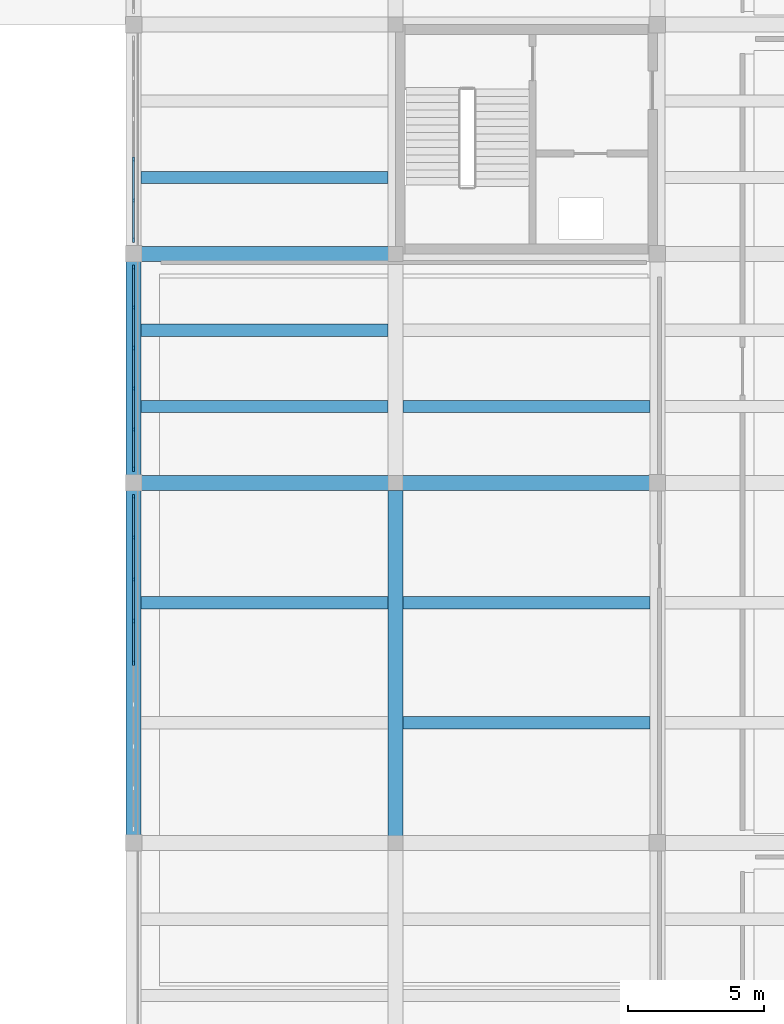
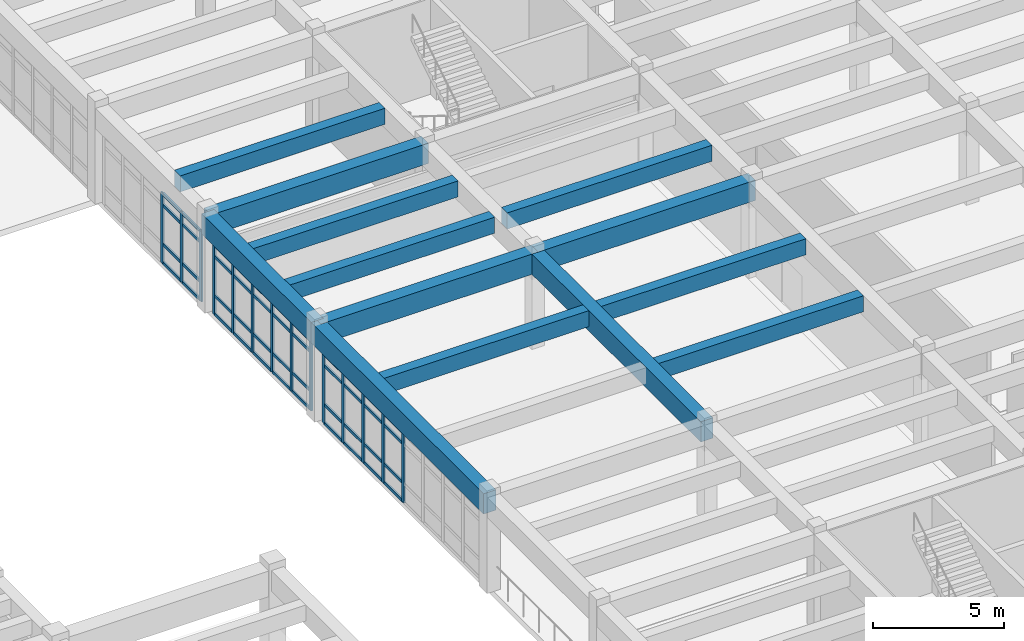
# One storey, part 36 of 86: 58 members, 13 beams, 3 elements without a shape of their own.
"""IFC4 building model written with IfcOpenShell, lengths in metres."""

from ifc_helpers import new_model, si_unit, direction, frame, origin, origin_2d, place, context, subcontext, project, spatial, rectangle, extrude, material, layer, layer_set, material_profile, profile_set, type_object, element, aggregate, save


model = new_model("IFC4")

# Units and contexts
model_context = context("Model", 3, precision=1e-05, world=origin(), true_north=direction((0.0, 1.0)))
body_context = subcontext(model_context, "Body", "Model", "MODEL_VIEW")
ifc_project = project(units=[si_unit("LENGTHUNIT", "METRE"), si_unit("AREAUNIT", "SQUARE_METRE"), si_unit("VOLUMEUNIT", "CUBIC_METRE"), si_unit("PLANEANGLEUNIT", "RADIAN"), si_unit("MASSUNIT", "GRAM", prefix="KILO")], contexts=[model_context])

# Site, building, storey
site_placement = place(None, origin())
site = spatial("IfcSite", under=ifc_project, at=site_placement, CompositionType="ELEMENT")
building_placement = place(site_placement, origin())
building = spatial("IfcBuilding", under=site, at=building_placement, Name="Kolvemor Railside Polytechnic", CompositionType="ELEMENT")
storey_placement = place(building_placement, frame((0.0, 0.0, 5.39990234375)))
storey = spatial("IfcBuildingStorey", under=building, at=storey_placement, Name="L01", CompositionType="ELEMENT", Elevation=5.39990234375)

# Beams
ifc_material_1 = material(Name="Concrete C40/50", Category="concrete")
ifc_material_profile_1 = material_profile(ifc_material_1, rectangle(XDim=0.550048828125, YDim=0.949951171875, at=origin_2d()), Name="RC550x950")
ifc_profile_set_1 = profile_set([ifc_material_profile_1], Name="Concrete C40/50")
beam_type_1 = type_object("IfcBeamType", Name="BM-RC-GIRD", PredefinedType="BEAM", material=ifc_profile_set_1)
beam_1_placement = place(storey_placement, frame((144.0, 51.60009765625, 4.005126953125), z_axis=(1.0, 0.0, 0.0), x_axis=(0.0, 1.0, 0.0)))
element("IfcBeam", 1, at=beam_1_placement, inside=storey, type_object=beam_type_1, Name="Primary Girder L02-GX 0915", PredefinedType="BEAM", context=body_context, shape_type="SweptSolid", body=[
    extrude(rectangle(XDim=0.550048828125, YDim=0.949951171875, at=origin_2d()), origin(), (0.0, 0.0, 1.0), 9.60009765625),
])
beam_2_placement = place(storey_placement, frame((153.60009765625, 51.60009765625, 4.005126953125), z_axis=(1.0, 0.0, 0.0), x_axis=(0.0, 1.0, 0.0)))
element("IfcBeam", 2, at=beam_2_placement, inside=storey, type_object=beam_type_1, Name="Primary Girder L02-GX 0916", PredefinedType="BEAM", context=body_context, shape_type="SweptSolid", body=[
    extrude(rectangle(XDim=0.550048828125, YDim=0.949951171875, at=origin_2d()), origin(), (0.0, 0.0, 1.0), 9.599853515625),
])
beam_3_placement = place(storey_placement, frame((144.0, 60.0, 4.005126953125), z_axis=(1.0, 0.0, 0.0), x_axis=(0.0, 1.0, 0.0)))
element("IfcBeam", 3, at=beam_3_placement, inside=storey, type_object=beam_type_1, Name="Primary Girder L02-GX 0919", PredefinedType="BEAM", context=body_context, shape_type="SweptSolid", body=[
    extrude(rectangle(XDim=0.550048828125, YDim=0.949951171875, at=origin_2d()), origin(), (0.0, 0.0, 1.0), 9.60009765625),
])
beam_4_placement = place(storey_placement, frame((144.0, 38.39990234375, 4.005126953125), z_axis=(0.0, 1.0, 0.0), x_axis=(-1.0, 0.0, 0.0)))
element("IfcBeam", 4, at=beam_4_placement, inside=storey, type_object=beam_type_1, Name="Primary Girder L02-GY 0939", PredefinedType="BEAM", context=body_context, shape_type="SweptSolid", body=[
    extrude(rectangle(XDim=0.550048828125, YDim=0.949951171875, at=origin_2d()), origin(), (0.0, 0.0, 1.0), 13.2001953125),
])
beam_5_placement = place(storey_placement, frame((144.0, 51.60009765625, 4.005126953125), z_axis=(0.0, 1.0, 0.0), x_axis=(-1.0, 0.0, 0.0)))
element("IfcBeam", 5, at=beam_5_placement, inside=storey, type_object=beam_type_1, Name="Primary Girder L02-GY 0940", PredefinedType="BEAM", context=body_context, shape_type="SweptSolid", body=[
    extrude(rectangle(XDim=0.550048828125, YDim=0.949951171875, at=origin_2d()), origin(), (0.0, 0.0, 1.0), 8.39990234375),
])
beam_6_placement = place(storey_placement, frame((153.60009765625, 38.39990234375, 4.005126953125), z_axis=(0.0, 1.0, 0.0), x_axis=(-1.0, 0.0, 0.0)))
element("IfcBeam", 6, at=beam_6_placement, inside=storey, type_object=beam_type_1, Name="Primary Girder L02-GY 0948", PredefinedType="BEAM", context=body_context, shape_type="SweptSolid", body=[
    extrude(rectangle(XDim=0.550048828125, YDim=0.949951171875, at=origin_2d()), origin(), (0.0, 0.0, 1.0), 13.2001953125),
])
ifc_material_2 = material(Name="Concrete C40/50", Category="concrete")
ifc_material_profile_2 = material_profile(ifc_material_2, rectangle(XDim=0.449951171875, YDim=0.75, at=origin_2d()), Name="RC450x750")
ifc_profile_set_2 = profile_set([ifc_material_profile_2], Name="Concrete C40/50")
beam_type_2 = type_object("IfcBeamType", Name="BM-RC-SEC", PredefinedType="JOIST", material=ifc_profile_set_2)
for number, where, z_axis, x_axis, name in (
    (7, (144.27490234375, 47.199951171875, 4.10498046875), (1.0, 0.0, 0.0), (0.0, 1.0, 0.0), "Floor Joist L02-J0989"),
    (8, (144.27490234375, 54.39990234375, 4.10498046875), (1.0, 0.0, 0.0), (0.0, 1.0, 0.0), "Floor Joist L02-J0990"),
    (9, (144.27490234375, 57.199951171875, 4.10498046875), (1.0, 0.0, 0.0), (0.0, 1.0, 0.0), "Floor Joist L02-J0991"),
    (10, (144.27490234375, 62.800048828125, 4.10498046875), (1.0, 0.0, 0.0), (0.0, 1.0, 0.0), "Floor Joist L02-J0992"),
    (11, (153.875, 42.800048828125, 4.10498046875), (1.0, 0.0, 0.0), (0.0, 1.0, 0.0), "Floor Joist L02-J1004"),
    (12, (153.875, 47.199951171875, 4.10498046875), (1.0, 0.0, 0.0), (0.0, 1.0, 0.0), "Floor Joist L02-J1005"),
    (13, (153.875, 54.39990234375, 4.10498046875), (1.0, 0.0, 0.0), (0.0, 1.0, 0.0), "Floor Joist L02-J1006"),
):
    element("IfcBeam", number, at=place(storey_placement, frame(where, z_axis=z_axis, x_axis=x_axis)), inside=storey, type_object=beam_type_2, Name=name, PredefinedType="JOIST", context=body_context, shape_type="SweptSolid", body=[
        extrude(rectangle(XDim=0.449951171875, YDim=0.75, at=origin_2d()), origin(), (0.0, 0.0, 1.0), 9.050048828125),
    ])

# Curtain wall, members
ifc_material_3 = material(Name="Anodised marine aluminium and laminated low-E glass", Category="aluminium")
ifc_layer = layer(ifc_material_3, 0.179931640625, Name="CW-UNIT-STD")
ifc_layer_set = layer_set([ifc_layer], Name="Anodised marine aluminium and laminated low-E glass")
curtain_wall_type = type_object("IfcCurtainWallType", Name="CW-UNIT-STD", PredefinedType="USERDEFINED", material=ifc_layer_set)
curtain_wall_1_placement = place(storey_placement, origin())
curtain_wall_1 = element("IfcCurtainWall", 14, at=curtain_wall_1_placement, inside=storey, type_object=curtain_wall_type, Name="Curtain Wall L01-062", ObjectType="UNITISED CURTAIN WALL", PredefinedType="USERDEFINED")
ifc_material_4 = material(Name="Anodised marine aluminium 6063-T6", Category="aluminium")
ifc_material_profile_3 = material_profile(ifc_material_4, rectangle(XDim=0.074951171875, YDim=0.179931640625, at=origin_2d()), Name="CW-MUL-75x180")
ifc_profile_set_3 = profile_set([ifc_material_profile_3], Name="Anodised marine aluminium 6063-T6")
member_type_1 = type_object("IfcMemberType", Name="CWM-75x180", PredefinedType="MULLION", material=ifc_profile_set_3)
member_1_placement = place(storey_placement, frame((144.0, 51.092529296875, 0.0), z_axis=(0.0, 0.0, 1.0), x_axis=(1.0, 0.0, 0.0)))
member_1 = element("IfcMember", 15, at=member_1_placement, type_object=member_type_1, Name="CW-STD mullion 1", PredefinedType="MULLION", context=body_context, shape_type="SweptSolid", body=[
    extrude(rectangle(XDim=0.074951171875, YDim=0.179931640625, at=origin_2d()), origin(), (0.0, 0.0, 1.0), 3.280029296875),
])
member_2_placement = place(storey_placement, frame((144.0, 49.597412109375, 0.0), z_axis=(0.0, 0.0, 1.0), x_axis=(1.0, 0.0, 0.0)))
member_2 = element("IfcMember", 16, at=member_2_placement, type_object=member_type_1, Name="CW-STD mullion 2", PredefinedType="MULLION", context=body_context, shape_type="SweptSolid", body=[
    extrude(rectangle(XDim=0.074951171875, YDim=0.179931640625, at=origin_2d()), origin(), (0.0, 0.0, 1.0), 3.280029296875),
])
member_3_placement = place(storey_placement, frame((144.0, 48.06494140625, 0.0), z_axis=(0.0, 0.0, 1.0), x_axis=(1.0, 0.0, 0.0)))
member_3 = element("IfcMember", 17, at=member_3_placement, type_object=member_type_1, Name="CW-STD mullion 3", PredefinedType="MULLION", context=body_context, shape_type="SweptSolid", body=[
    extrude(rectangle(XDim=0.074951171875, YDim=0.179931640625, at=origin_2d()), origin(), (0.0, 0.0, 1.0), 3.280029296875),
])
member_4_placement = place(storey_placement, frame((144.0, 46.532470703125, 0.0), z_axis=(0.0, 0.0, 1.0), x_axis=(1.0, 0.0, 0.0)))
member_4 = element("IfcMember", 18, at=member_4_placement, type_object=member_type_1, Name="CW-STD mullion 4", PredefinedType="MULLION", context=body_context, shape_type="SweptSolid", body=[
    extrude(rectangle(XDim=0.074951171875, YDim=0.179931640625, at=origin_2d()), origin(), (0.0, 0.0, 1.0), 3.280029296875),
])
member_5_placement = place(storey_placement, frame((144.0, 45.0, 0.0), z_axis=(0.0, 0.0, 1.0), x_axis=(1.0, 0.0, 0.0)))
member_5 = element("IfcMember", 19, at=member_5_placement, type_object=member_type_1, Name="CW-STD mullion 5", PredefinedType="MULLION", context=body_context, shape_type="SweptSolid", body=[
    extrude(rectangle(XDim=0.074951171875, YDim=0.179931640625, at=origin_2d()), origin(), (0.0, 0.0, 1.0), 3.280029296875),
])

curtain_wall_2_placement = place(storey_placement, origin())
curtain_wall_2 = element("IfcCurtainWall", 20, at=curtain_wall_2_placement, inside=storey, type_object=curtain_wall_type, Name="Curtain Wall L01-072", ObjectType="UNITISED CURTAIN WALL", PredefinedType="USERDEFINED")
member_6_placement = place(storey_placement, frame((144.0, 59.492431640625, 0.0), z_axis=(0.0, 0.0, 1.0), x_axis=(1.0, 0.0, 0.0)))
member_6 = element("IfcMember", 21, at=member_6_placement, type_object=member_type_1, Name="CW-STD mullion 1", PredefinedType="MULLION", context=body_context, shape_type="SweptSolid", body=[
    extrude(rectangle(XDim=0.074951171875, YDim=0.179931640625, at=origin_2d()), origin(), (0.0, 0.0, 1.0), 3.280029296875),
])
member_7_placement = place(storey_placement, frame((144.0, 58.0380859375, 0.0), z_axis=(0.0, 0.0, 1.0), x_axis=(1.0, 0.0, 0.0)))
member_7 = element("IfcMember", 22, at=member_7_placement, type_object=member_type_1, Name="CW-STD mullion 2", PredefinedType="MULLION", context=body_context, shape_type="SweptSolid", body=[
    extrude(rectangle(XDim=0.074951171875, YDim=0.179931640625, at=origin_2d()), origin(), (0.0, 0.0, 1.0), 3.280029296875),
])
member_8_placement = place(storey_placement, frame((144.0, 56.5458984375, 0.0), z_axis=(0.0, 0.0, 1.0), x_axis=(1.0, 0.0, 0.0)))
member_8 = element("IfcMember", 23, at=member_8_placement, type_object=member_type_1, Name="CW-STD mullion 3", PredefinedType="MULLION", context=body_context, shape_type="SweptSolid", body=[
    extrude(rectangle(XDim=0.074951171875, YDim=0.179931640625, at=origin_2d()), origin(), (0.0, 0.0, 1.0), 3.280029296875),
])
member_9_placement = place(storey_placement, frame((144.0, 55.053955078125, 0.0), z_axis=(0.0, 0.0, 1.0), x_axis=(1.0, 0.0, 0.0)))
member_9 = element("IfcMember", 24, at=member_9_placement, type_object=member_type_1, Name="CW-STD mullion 4", PredefinedType="MULLION", context=body_context, shape_type="SweptSolid", body=[
    extrude(rectangle(XDim=0.074951171875, YDim=0.179931640625, at=origin_2d()), origin(), (0.0, 0.0, 1.0), 3.280029296875),
])
member_10_placement = place(storey_placement, frame((144.0, 53.56201171875, 0.0), z_axis=(0.0, 0.0, 1.0), x_axis=(1.0, 0.0, 0.0)))
member_10 = element("IfcMember", 25, at=member_10_placement, type_object=member_type_1, Name="CW-STD mullion 5", PredefinedType="MULLION", context=body_context, shape_type="SweptSolid", body=[
    extrude(rectangle(XDim=0.074951171875, YDim=0.179931640625, at=origin_2d()), origin(), (0.0, 0.0, 1.0), 3.280029296875),
])
member_11_placement = place(storey_placement, frame((144.0, 52.107421875, 0.0), z_axis=(0.0, 0.0, 1.0), x_axis=(1.0, 0.0, 0.0)))
member_11 = element("IfcMember", 26, at=member_11_placement, type_object=member_type_1, Name="CW-STD mullion 6", PredefinedType="MULLION", context=body_context, shape_type="SweptSolid", body=[
    extrude(rectangle(XDim=0.074951171875, YDim=0.179931640625, at=origin_2d()), origin(), (0.0, 0.0, 1.0), 3.280029296875),
])

curtain_wall_3_placement = place(storey_placement, origin())
curtain_wall_3 = element("IfcCurtainWall", 27, at=curtain_wall_3_placement, inside=storey, type_object=curtain_wall_type, Name="Curtain Wall L01-080", ObjectType="UNITISED CURTAIN WALL", PredefinedType="USERDEFINED")
member_12_placement = place(storey_placement, frame((144.0, 63.4541015625, 0.0), z_axis=(0.0, 0.0, 1.0), x_axis=(1.0, 0.0, 0.0)))
member_12 = element("IfcMember", 28, at=member_12_placement, type_object=member_type_1, Name="CW-STD mullion 4", PredefinedType="MULLION", context=body_context, shape_type="SweptSolid", body=[
    extrude(rectangle(XDim=0.074951171875, YDim=0.179931640625, at=origin_2d()), origin(), (0.0, 0.0, 1.0), 3.280029296875),
])
member_13_placement = place(storey_placement, frame((144.0, 61.9619140625, 0.0), z_axis=(0.0, 0.0, 1.0), x_axis=(1.0, 0.0, 0.0)))
member_13 = element("IfcMember", 29, at=member_13_placement, type_object=member_type_1, Name="CW-STD mullion 5", PredefinedType="MULLION", context=body_context, shape_type="SweptSolid", body=[
    extrude(rectangle(XDim=0.074951171875, YDim=0.179931640625, at=origin_2d()), origin(), (0.0, 0.0, 1.0), 3.280029296875),
])
member_14_placement = place(storey_placement, frame((144.0, 60.507568359375, 0.0), z_axis=(0.0, 0.0, 1.0), x_axis=(1.0, 0.0, 0.0)))
member_14 = element("IfcMember", 30, at=member_14_placement, type_object=member_type_1, Name="CW-STD mullion 6", PredefinedType="MULLION", context=body_context, shape_type="SweptSolid", body=[
    extrude(rectangle(XDim=0.074951171875, YDim=0.179931640625, at=origin_2d()), origin(), (0.0, 0.0, 1.0), 3.280029296875),
])

# Member
ifc_material_5 = material(Name="Anodised marine aluminium 6063-T6", Category="aluminium")
ifc_material_profile_4 = material_profile(ifc_material_5, rectangle(XDim=0.074951171875, YDim=0.139892578125, at=origin_2d()), Name="CW-TRN-75x140")
ifc_profile_set_4 = profile_set([ifc_material_profile_4], Name="Anodised marine aluminium 6063-T6")
member_type_2 = type_object("IfcMemberType", Name="CWT-75x140", PredefinedType="USERDEFINED", material=ifc_profile_set_4)
member_15_placement = place(storey_placement, frame((144.0, 51.054931640625, 0.03759765625), z_axis=(0.0, -1.0, 0.0), x_axis=(1.0, 0.0, 0.0)))
member_15 = element("IfcMember", 31, at=member_15_placement, type_object=member_type_2, Name="CW-STD transom 1.1", ObjectType="TRANSOM", PredefinedType="USERDEFINED", context=body_context, shape_type="SweptSolid", body=[
    extrude(rectangle(XDim=0.074951171875, YDim=0.139892578125, at=origin_2d()), origin(), (0.0, 0.0, 1.0), 1.419921875),
])

member_16_placement = place(storey_placement, frame((144.0, 51.054931640625, 0.900146484375), z_axis=(0.0, -1.0, 0.0), x_axis=(1.0, 0.0, 0.0)))
member_16 = element("IfcMember", 32, at=member_16_placement, type_object=member_type_2, Name="CW-STD transom 1.2", ObjectType="TRANSOM", PredefinedType="USERDEFINED", context=body_context, shape_type="SweptSolid", body=[
    extrude(rectangle(XDim=0.074951171875, YDim=0.139892578125, at=origin_2d()), origin(), (0.0, 0.0, 1.0), 1.419921875),
])

member_17_placement = place(storey_placement, frame((144.0, 51.054931640625, 2.72998046875), z_axis=(0.0, -1.0, 0.0), x_axis=(1.0, 0.0, 0.0)))
member_17 = element("IfcMember", 33, at=member_17_placement, type_object=member_type_2, Name="CW-STD transom 1.3", ObjectType="TRANSOM", PredefinedType="USERDEFINED", context=body_context, shape_type="SweptSolid", body=[
    extrude(rectangle(XDim=0.074951171875, YDim=0.139892578125, at=origin_2d()), origin(), (0.0, 0.0, 1.0), 1.419921875),
])

member_18_placement = place(storey_placement, frame((144.0, 51.054931640625, 3.24267578125), z_axis=(0.0, -1.0, 0.0), x_axis=(1.0, 0.0, 0.0)))
member_18 = element("IfcMember", 34, at=member_18_placement, type_object=member_type_2, Name="CW-STD transom 1.4", ObjectType="TRANSOM", PredefinedType="USERDEFINED", context=body_context, shape_type="SweptSolid", body=[
    extrude(rectangle(XDim=0.074951171875, YDim=0.139892578125, at=origin_2d()), origin(), (0.0, 0.0, 1.0), 1.419921875),
])

member_19_placement = place(storey_placement, frame((144.0, 49.56005859375, 0.03759765625), z_axis=(0.0, -1.0, 0.0), x_axis=(1.0, 0.0, 0.0)))
member_19 = element("IfcMember", 35, at=member_19_placement, type_object=member_type_2, Name="CW-STD transom 2.1", ObjectType="TRANSOM", PredefinedType="USERDEFINED", context=body_context, shape_type="SweptSolid", body=[
    extrude(rectangle(XDim=0.074951171875, YDim=0.139892578125, at=origin_2d()), origin(), (0.0, 0.0, 1.0), 1.45751953125),
])

member_20_placement = place(storey_placement, frame((144.0, 49.56005859375, 0.900146484375), z_axis=(0.0, -1.0, 0.0), x_axis=(1.0, 0.0, 0.0)))
member_20 = element("IfcMember", 36, at=member_20_placement, type_object=member_type_2, Name="CW-STD transom 2.2", ObjectType="TRANSOM", PredefinedType="USERDEFINED", context=body_context, shape_type="SweptSolid", body=[
    extrude(rectangle(XDim=0.074951171875, YDim=0.139892578125, at=origin_2d()), origin(), (0.0, 0.0, 1.0), 1.45751953125),
])

member_21_placement = place(storey_placement, frame((144.0, 49.56005859375, 2.72998046875), z_axis=(0.0, -1.0, 0.0), x_axis=(1.0, 0.0, 0.0)))
member_21 = element("IfcMember", 37, at=member_21_placement, type_object=member_type_2, Name="CW-STD transom 2.3", ObjectType="TRANSOM", PredefinedType="USERDEFINED", context=body_context, shape_type="SweptSolid", body=[
    extrude(rectangle(XDim=0.074951171875, YDim=0.139892578125, at=origin_2d()), origin(), (0.0, 0.0, 1.0), 1.45751953125),
])

member_22_placement = place(storey_placement, frame((144.0, 49.56005859375, 3.24267578125), z_axis=(0.0, -1.0, 0.0), x_axis=(1.0, 0.0, 0.0)))
member_22 = element("IfcMember", 38, at=member_22_placement, type_object=member_type_2, Name="CW-STD transom 2.4", ObjectType="TRANSOM", PredefinedType="USERDEFINED", context=body_context, shape_type="SweptSolid", body=[
    extrude(rectangle(XDim=0.074951171875, YDim=0.139892578125, at=origin_2d()), origin(), (0.0, 0.0, 1.0), 1.45751953125),
])

member_23_placement = place(storey_placement, frame((144.0, 48.027587890625, 0.03759765625), z_axis=(0.0, -1.0, 0.0), x_axis=(1.0, 0.0, 0.0)))
member_23 = element("IfcMember", 39, at=member_23_placement, type_object=member_type_2, Name="CW-STD transom 3.1", ObjectType="TRANSOM", PredefinedType="USERDEFINED", context=body_context, shape_type="SweptSolid", body=[
    extrude(rectangle(XDim=0.074951171875, YDim=0.139892578125, at=origin_2d()), origin(), (0.0, 0.0, 1.0), 1.45751953125),
])

member_24_placement = place(storey_placement, frame((144.0, 48.027587890625, 0.900146484375), z_axis=(0.0, -1.0, 0.0), x_axis=(1.0, 0.0, 0.0)))
member_24 = element("IfcMember", 40, at=member_24_placement, type_object=member_type_2, Name="CW-STD transom 3.2", ObjectType="TRANSOM", PredefinedType="USERDEFINED", context=body_context, shape_type="SweptSolid", body=[
    extrude(rectangle(XDim=0.074951171875, YDim=0.139892578125, at=origin_2d()), origin(), (0.0, 0.0, 1.0), 1.45751953125),
])

member_25_placement = place(storey_placement, frame((144.0, 48.027587890625, 2.72998046875), z_axis=(0.0, -1.0, 0.0), x_axis=(1.0, 0.0, 0.0)))
member_25 = element("IfcMember", 41, at=member_25_placement, type_object=member_type_2, Name="CW-STD transom 3.3", ObjectType="TRANSOM", PredefinedType="USERDEFINED", context=body_context, shape_type="SweptSolid", body=[
    extrude(rectangle(XDim=0.074951171875, YDim=0.139892578125, at=origin_2d()), origin(), (0.0, 0.0, 1.0), 1.45751953125),
])

member_26_placement = place(storey_placement, frame((144.0, 48.027587890625, 3.24267578125), z_axis=(0.0, -1.0, 0.0), x_axis=(1.0, 0.0, 0.0)))
member_26 = element("IfcMember", 42, at=member_26_placement, type_object=member_type_2, Name="CW-STD transom 3.4", ObjectType="TRANSOM", PredefinedType="USERDEFINED", context=body_context, shape_type="SweptSolid", body=[
    extrude(rectangle(XDim=0.074951171875, YDim=0.139892578125, at=origin_2d()), origin(), (0.0, 0.0, 1.0), 1.45751953125),
])

member_27_placement = place(storey_placement, frame((144.0, 46.4951171875, 0.03759765625), z_axis=(0.0, -1.0, 0.0), x_axis=(1.0, 0.0, 0.0)))
member_27 = element("IfcMember", 43, at=member_27_placement, type_object=member_type_2, Name="CW-STD transom 4.1", ObjectType="TRANSOM", PredefinedType="USERDEFINED", context=body_context, shape_type="SweptSolid", body=[
    extrude(rectangle(XDim=0.074951171875, YDim=0.139892578125, at=origin_2d()), origin(), (0.0, 0.0, 1.0), 1.45751953125),
])

member_28_placement = place(storey_placement, frame((144.0, 46.4951171875, 0.900146484375), z_axis=(0.0, -1.0, 0.0), x_axis=(1.0, 0.0, 0.0)))
member_28 = element("IfcMember", 44, at=member_28_placement, type_object=member_type_2, Name="CW-STD transom 4.2", ObjectType="TRANSOM", PredefinedType="USERDEFINED", context=body_context, shape_type="SweptSolid", body=[
    extrude(rectangle(XDim=0.074951171875, YDim=0.139892578125, at=origin_2d()), origin(), (0.0, 0.0, 1.0), 1.45751953125),
])

member_29_placement = place(storey_placement, frame((144.0, 46.4951171875, 2.72998046875), z_axis=(0.0, -1.0, 0.0), x_axis=(1.0, 0.0, 0.0)))
member_29 = element("IfcMember", 45, at=member_29_placement, type_object=member_type_2, Name="CW-STD transom 4.3", ObjectType="TRANSOM", PredefinedType="USERDEFINED", context=body_context, shape_type="SweptSolid", body=[
    extrude(rectangle(XDim=0.074951171875, YDim=0.139892578125, at=origin_2d()), origin(), (0.0, 0.0, 1.0), 1.45751953125),
])

member_30_placement = place(storey_placement, frame((144.0, 46.4951171875, 3.24267578125), z_axis=(0.0, -1.0, 0.0), x_axis=(1.0, 0.0, 0.0)))
member_30 = element("IfcMember", 46, at=member_30_placement, type_object=member_type_2, Name="CW-STD transom 4.4", ObjectType="TRANSOM", PredefinedType="USERDEFINED", context=body_context, shape_type="SweptSolid", body=[
    extrude(rectangle(XDim=0.074951171875, YDim=0.139892578125, at=origin_2d()), origin(), (0.0, 0.0, 1.0), 1.45751953125),
])

aggregate(curtain_wall_1, [member_1, member_2, member_3, member_4, member_5, member_15, member_16, member_17, member_18, member_19, member_20, member_21, member_22, member_23, member_24, member_25, member_26, member_27, member_28, member_29, member_30])

member_31_placement = place(storey_placement, frame((144.0, 59.455078125, 0.03759765625), z_axis=(0.0, -1.0, 0.0), x_axis=(1.0, 0.0, 0.0)))
member_31 = element("IfcMember", 47, at=member_31_placement, type_object=member_type_2, Name="CW-STD transom 1.1", ObjectType="TRANSOM", PredefinedType="USERDEFINED", context=body_context, shape_type="SweptSolid", body=[
    extrude(rectangle(XDim=0.074951171875, YDim=0.139892578125, at=origin_2d()), origin(), (0.0, 0.0, 1.0), 1.379638671875),
])

member_32_placement = place(storey_placement, frame((144.0, 59.455078125, 0.900146484375), z_axis=(0.0, -1.0, 0.0), x_axis=(1.0, 0.0, 0.0)))
member_32 = element("IfcMember", 48, at=member_32_placement, type_object=member_type_2, Name="CW-STD transom 1.2", ObjectType="TRANSOM", PredefinedType="USERDEFINED", context=body_context, shape_type="SweptSolid", body=[
    extrude(rectangle(XDim=0.074951171875, YDim=0.139892578125, at=origin_2d()), origin(), (0.0, 0.0, 1.0), 1.379638671875),
])

member_33_placement = place(storey_placement, frame((144.0, 59.455078125, 2.72998046875), z_axis=(0.0, -1.0, 0.0), x_axis=(1.0, 0.0, 0.0)))
member_33 = element("IfcMember", 49, at=member_33_placement, type_object=member_type_2, Name="CW-STD transom 1.3", ObjectType="TRANSOM", PredefinedType="USERDEFINED", context=body_context, shape_type="SweptSolid", body=[
    extrude(rectangle(XDim=0.074951171875, YDim=0.139892578125, at=origin_2d()), origin(), (0.0, 0.0, 1.0), 1.379638671875),
])

member_34_placement = place(storey_placement, frame((144.0, 59.455078125, 3.24267578125), z_axis=(0.0, -1.0, 0.0), x_axis=(1.0, 0.0, 0.0)))
member_34 = element("IfcMember", 50, at=member_34_placement, type_object=member_type_2, Name="CW-STD transom 1.4", ObjectType="TRANSOM", PredefinedType="USERDEFINED", context=body_context, shape_type="SweptSolid", body=[
    extrude(rectangle(XDim=0.074951171875, YDim=0.139892578125, at=origin_2d()), origin(), (0.0, 0.0, 1.0), 1.379638671875),
])

member_35_placement = place(storey_placement, frame((144.0, 58.00048828125, 0.03759765625), z_axis=(0.0, -1.0, 0.0), x_axis=(1.0, 0.0, 0.0)))
member_35 = element("IfcMember", 51, at=member_35_placement, type_object=member_type_2, Name="CW-STD transom 2.1", ObjectType="TRANSOM", PredefinedType="USERDEFINED", context=body_context, shape_type="SweptSolid", body=[
    extrude(rectangle(XDim=0.074951171875, YDim=0.139892578125, at=origin_2d()), origin(), (0.0, 0.0, 1.0), 1.4169921875),
])

member_36_placement = place(storey_placement, frame((144.0, 58.00048828125, 0.900146484375), z_axis=(0.0, -1.0, 0.0), x_axis=(1.0, 0.0, 0.0)))
member_36 = element("IfcMember", 52, at=member_36_placement, type_object=member_type_2, Name="CW-STD transom 2.2", ObjectType="TRANSOM", PredefinedType="USERDEFINED", context=body_context, shape_type="SweptSolid", body=[
    extrude(rectangle(XDim=0.074951171875, YDim=0.139892578125, at=origin_2d()), origin(), (0.0, 0.0, 1.0), 1.4169921875),
])

member_37_placement = place(storey_placement, frame((144.0, 58.00048828125, 2.72998046875), z_axis=(0.0, -1.0, 0.0), x_axis=(1.0, 0.0, 0.0)))
member_37 = element("IfcMember", 53, at=member_37_placement, type_object=member_type_2, Name="CW-STD transom 2.3", ObjectType="TRANSOM", PredefinedType="USERDEFINED", context=body_context, shape_type="SweptSolid", body=[
    extrude(rectangle(XDim=0.074951171875, YDim=0.139892578125, at=origin_2d()), origin(), (0.0, 0.0, 1.0), 1.4169921875),
])

member_38_placement = place(storey_placement, frame((144.0, 58.00048828125, 3.24267578125), z_axis=(0.0, -1.0, 0.0), x_axis=(1.0, 0.0, 0.0)))
member_38 = element("IfcMember", 54, at=member_38_placement, type_object=member_type_2, Name="CW-STD transom 2.4", ObjectType="TRANSOM", PredefinedType="USERDEFINED", context=body_context, shape_type="SweptSolid", body=[
    extrude(rectangle(XDim=0.074951171875, YDim=0.139892578125, at=origin_2d()), origin(), (0.0, 0.0, 1.0), 1.4169921875),
])

member_39_placement = place(storey_placement, frame((144.0, 56.508544921875, 0.03759765625), z_axis=(0.0, -1.0, 0.0), x_axis=(1.0, 0.0, 0.0)))
member_39 = element("IfcMember", 55, at=member_39_placement, type_object=member_type_2, Name="CW-STD transom 3.1", ObjectType="TRANSOM", PredefinedType="USERDEFINED", context=body_context, shape_type="SweptSolid", body=[
    extrude(rectangle(XDim=0.074951171875, YDim=0.139892578125, at=origin_2d()), origin(), (0.0, 0.0, 1.0), 1.4169921875),
])

member_40_placement = place(storey_placement, frame((144.0, 56.508544921875, 0.900146484375), z_axis=(0.0, -1.0, 0.0), x_axis=(1.0, 0.0, 0.0)))
member_40 = element("IfcMember", 56, at=member_40_placement, type_object=member_type_2, Name="CW-STD transom 3.2", ObjectType="TRANSOM", PredefinedType="USERDEFINED", context=body_context, shape_type="SweptSolid", body=[
    extrude(rectangle(XDim=0.074951171875, YDim=0.139892578125, at=origin_2d()), origin(), (0.0, 0.0, 1.0), 1.4169921875),
])

member_41_placement = place(storey_placement, frame((144.0, 56.508544921875, 2.72998046875), z_axis=(0.0, -1.0, 0.0), x_axis=(1.0, 0.0, 0.0)))
member_41 = element("IfcMember", 57, at=member_41_placement, type_object=member_type_2, Name="CW-STD transom 3.3", ObjectType="TRANSOM", PredefinedType="USERDEFINED", context=body_context, shape_type="SweptSolid", body=[
    extrude(rectangle(XDim=0.074951171875, YDim=0.139892578125, at=origin_2d()), origin(), (0.0, 0.0, 1.0), 1.4169921875),
])

member_42_placement = place(storey_placement, frame((144.0, 56.508544921875, 3.24267578125), z_axis=(0.0, -1.0, 0.0), x_axis=(1.0, 0.0, 0.0)))
member_42 = element("IfcMember", 58, at=member_42_placement, type_object=member_type_2, Name="CW-STD transom 3.4", ObjectType="TRANSOM", PredefinedType="USERDEFINED", context=body_context, shape_type="SweptSolid", body=[
    extrude(rectangle(XDim=0.074951171875, YDim=0.139892578125, at=origin_2d()), origin(), (0.0, 0.0, 1.0), 1.4169921875),
])

member_43_placement = place(storey_placement, frame((144.0, 55.0166015625, 0.03759765625), z_axis=(0.0, -1.0, 0.0), x_axis=(1.0, 0.0, 0.0)))
member_43 = element("IfcMember", 59, at=member_43_placement, type_object=member_type_2, Name="CW-STD transom 4.1", ObjectType="TRANSOM", PredefinedType="USERDEFINED", context=body_context, shape_type="SweptSolid", body=[
    extrude(rectangle(XDim=0.074951171875, YDim=0.139892578125, at=origin_2d()), origin(), (0.0, 0.0, 1.0), 1.4169921875),
])

member_44_placement = place(storey_placement, frame((144.0, 55.0166015625, 0.900146484375), z_axis=(0.0, -1.0, 0.0), x_axis=(1.0, 0.0, 0.0)))
member_44 = element("IfcMember", 60, at=member_44_placement, type_object=member_type_2, Name="CW-STD transom 4.2", ObjectType="TRANSOM", PredefinedType="USERDEFINED", context=body_context, shape_type="SweptSolid", body=[
    extrude(rectangle(XDim=0.074951171875, YDim=0.139892578125, at=origin_2d()), origin(), (0.0, 0.0, 1.0), 1.4169921875),
])

member_45_placement = place(storey_placement, frame((144.0, 55.0166015625, 2.72998046875), z_axis=(0.0, -1.0, 0.0), x_axis=(1.0, 0.0, 0.0)))
member_45 = element("IfcMember", 61, at=member_45_placement, type_object=member_type_2, Name="CW-STD transom 4.3", ObjectType="TRANSOM", PredefinedType="USERDEFINED", context=body_context, shape_type="SweptSolid", body=[
    extrude(rectangle(XDim=0.074951171875, YDim=0.139892578125, at=origin_2d()), origin(), (0.0, 0.0, 1.0), 1.4169921875),
])

member_46_placement = place(storey_placement, frame((144.0, 55.0166015625, 3.24267578125), z_axis=(0.0, -1.0, 0.0), x_axis=(1.0, 0.0, 0.0)))
member_46 = element("IfcMember", 62, at=member_46_placement, type_object=member_type_2, Name="CW-STD transom 4.4", ObjectType="TRANSOM", PredefinedType="USERDEFINED", context=body_context, shape_type="SweptSolid", body=[
    extrude(rectangle(XDim=0.074951171875, YDim=0.139892578125, at=origin_2d()), origin(), (0.0, 0.0, 1.0), 1.4169921875),
])

member_47_placement = place(storey_placement, frame((144.0, 53.5244140625, 0.03759765625), z_axis=(0.0, -1.0, 0.0), x_axis=(1.0, 0.0, 0.0)))
member_47 = element("IfcMember", 63, at=member_47_placement, type_object=member_type_2, Name="CW-STD transom 5.1", ObjectType="TRANSOM", PredefinedType="USERDEFINED", context=body_context, shape_type="SweptSolid", body=[
    extrude(rectangle(XDim=0.074951171875, YDim=0.139892578125, at=origin_2d()), origin(), (0.0, 0.0, 1.0), 1.37939453125),
])

member_48_placement = place(storey_placement, frame((144.0, 53.5244140625, 0.900146484375), z_axis=(0.0, -1.0, 0.0), x_axis=(1.0, 0.0, 0.0)))
member_48 = element("IfcMember", 64, at=member_48_placement, type_object=member_type_2, Name="CW-STD transom 5.2", ObjectType="TRANSOM", PredefinedType="USERDEFINED", context=body_context, shape_type="SweptSolid", body=[
    extrude(rectangle(XDim=0.074951171875, YDim=0.139892578125, at=origin_2d()), origin(), (0.0, 0.0, 1.0), 1.37939453125),
])

member_49_placement = place(storey_placement, frame((144.0, 53.5244140625, 2.72998046875), z_axis=(0.0, -1.0, 0.0), x_axis=(1.0, 0.0, 0.0)))
member_49 = element("IfcMember", 65, at=member_49_placement, type_object=member_type_2, Name="CW-STD transom 5.3", ObjectType="TRANSOM", PredefinedType="USERDEFINED", context=body_context, shape_type="SweptSolid", body=[
    extrude(rectangle(XDim=0.074951171875, YDim=0.139892578125, at=origin_2d()), origin(), (0.0, 0.0, 1.0), 1.37939453125),
])

member_50_placement = place(storey_placement, frame((144.0, 53.5244140625, 3.24267578125), z_axis=(0.0, -1.0, 0.0), x_axis=(1.0, 0.0, 0.0)))
member_50 = element("IfcMember", 66, at=member_50_placement, type_object=member_type_2, Name="CW-STD transom 5.4", ObjectType="TRANSOM", PredefinedType="USERDEFINED", context=body_context, shape_type="SweptSolid", body=[
    extrude(rectangle(XDim=0.074951171875, YDim=0.139892578125, at=origin_2d()), origin(), (0.0, 0.0, 1.0), 1.37939453125),
])

aggregate(curtain_wall_2, [member_6, member_7, member_8, member_9, member_10, member_11, member_31, member_32, member_33, member_34, member_35, member_36, member_37, member_38, member_39, member_40, member_41, member_42, member_43, member_44, member_45, member_46, member_47, member_48, member_49, member_50])

member_51_placement = place(storey_placement, frame((144.0, 63.41650390625, 0.03759765625), z_axis=(0.0, -1.0, 0.0), x_axis=(1.0, 0.0, 0.0)))
member_51 = element("IfcMember", 67, at=member_51_placement, type_object=member_type_2, Name="CW-STD transom 4.1", ObjectType="TRANSOM", PredefinedType="USERDEFINED", context=body_context, shape_type="SweptSolid", body=[
    extrude(rectangle(XDim=0.074951171875, YDim=0.139892578125, at=origin_2d()), origin(), (0.0, 0.0, 1.0), 1.4169921875),
])

member_52_placement = place(storey_placement, frame((144.0, 63.41650390625, 0.900146484375), z_axis=(0.0, -1.0, 0.0), x_axis=(1.0, 0.0, 0.0)))
member_52 = element("IfcMember", 68, at=member_52_placement, type_object=member_type_2, Name="CW-STD transom 4.2", ObjectType="TRANSOM", PredefinedType="USERDEFINED", context=body_context, shape_type="SweptSolid", body=[
    extrude(rectangle(XDim=0.074951171875, YDim=0.139892578125, at=origin_2d()), origin(), (0.0, 0.0, 1.0), 1.4169921875),
])

member_53_placement = place(storey_placement, frame((144.0, 63.41650390625, 2.72998046875), z_axis=(0.0, -1.0, 0.0), x_axis=(1.0, 0.0, 0.0)))
member_53 = element("IfcMember", 69, at=member_53_placement, type_object=member_type_2, Name="CW-STD transom 4.3", ObjectType="TRANSOM", PredefinedType="USERDEFINED", context=body_context, shape_type="SweptSolid", body=[
    extrude(rectangle(XDim=0.074951171875, YDim=0.139892578125, at=origin_2d()), origin(), (0.0, 0.0, 1.0), 1.4169921875),
])

member_54_placement = place(storey_placement, frame((144.0, 63.41650390625, 3.24267578125), z_axis=(0.0, -1.0, 0.0), x_axis=(1.0, 0.0, 0.0)))
member_54 = element("IfcMember", 70, at=member_54_placement, type_object=member_type_2, Name="CW-STD transom 4.4", ObjectType="TRANSOM", PredefinedType="USERDEFINED", context=body_context, shape_type="SweptSolid", body=[
    extrude(rectangle(XDim=0.074951171875, YDim=0.139892578125, at=origin_2d()), origin(), (0.0, 0.0, 1.0), 1.4169921875),
])

member_55_placement = place(storey_placement, frame((144.0, 61.924560546875, 0.03759765625), z_axis=(0.0, -1.0, 0.0), x_axis=(1.0, 0.0, 0.0)))
member_55 = element("IfcMember", 71, at=member_55_placement, type_object=member_type_2, Name="CW-STD transom 5.1", ObjectType="TRANSOM", PredefinedType="USERDEFINED", context=body_context, shape_type="SweptSolid", body=[
    extrude(rectangle(XDim=0.074951171875, YDim=0.139892578125, at=origin_2d()), origin(), (0.0, 0.0, 1.0), 1.379638671875),
])

member_56_placement = place(storey_placement, frame((144.0, 61.924560546875, 0.900146484375), z_axis=(0.0, -1.0, 0.0), x_axis=(1.0, 0.0, 0.0)))
member_56 = element("IfcMember", 72, at=member_56_placement, type_object=member_type_2, Name="CW-STD transom 5.2", ObjectType="TRANSOM", PredefinedType="USERDEFINED", context=body_context, shape_type="SweptSolid", body=[
    extrude(rectangle(XDim=0.074951171875, YDim=0.139892578125, at=origin_2d()), origin(), (0.0, 0.0, 1.0), 1.379638671875),
])

member_57_placement = place(storey_placement, frame((144.0, 61.924560546875, 2.72998046875), z_axis=(0.0, -1.0, 0.0), x_axis=(1.0, 0.0, 0.0)))
member_57 = element("IfcMember", 73, at=member_57_placement, type_object=member_type_2, Name="CW-STD transom 5.3", ObjectType="TRANSOM", PredefinedType="USERDEFINED", context=body_context, shape_type="SweptSolid", body=[
    extrude(rectangle(XDim=0.074951171875, YDim=0.139892578125, at=origin_2d()), origin(), (0.0, 0.0, 1.0), 1.379638671875),
])

member_58_placement = place(storey_placement, frame((144.0, 61.924560546875, 3.24267578125), z_axis=(0.0, -1.0, 0.0), x_axis=(1.0, 0.0, 0.0)))
member_58 = element("IfcMember", 74, at=member_58_placement, type_object=member_type_2, Name="CW-STD transom 5.4", ObjectType="TRANSOM", PredefinedType="USERDEFINED", context=body_context, shape_type="SweptSolid", body=[
    extrude(rectangle(XDim=0.074951171875, YDim=0.139892578125, at=origin_2d()), origin(), (0.0, 0.0, 1.0), 1.379638671875),
])

aggregate(curtain_wall_3, [member_12, member_13, member_14, member_51, member_52, member_53, member_54, member_55, member_56, member_57, member_58])

save(model, "model.ifc")
